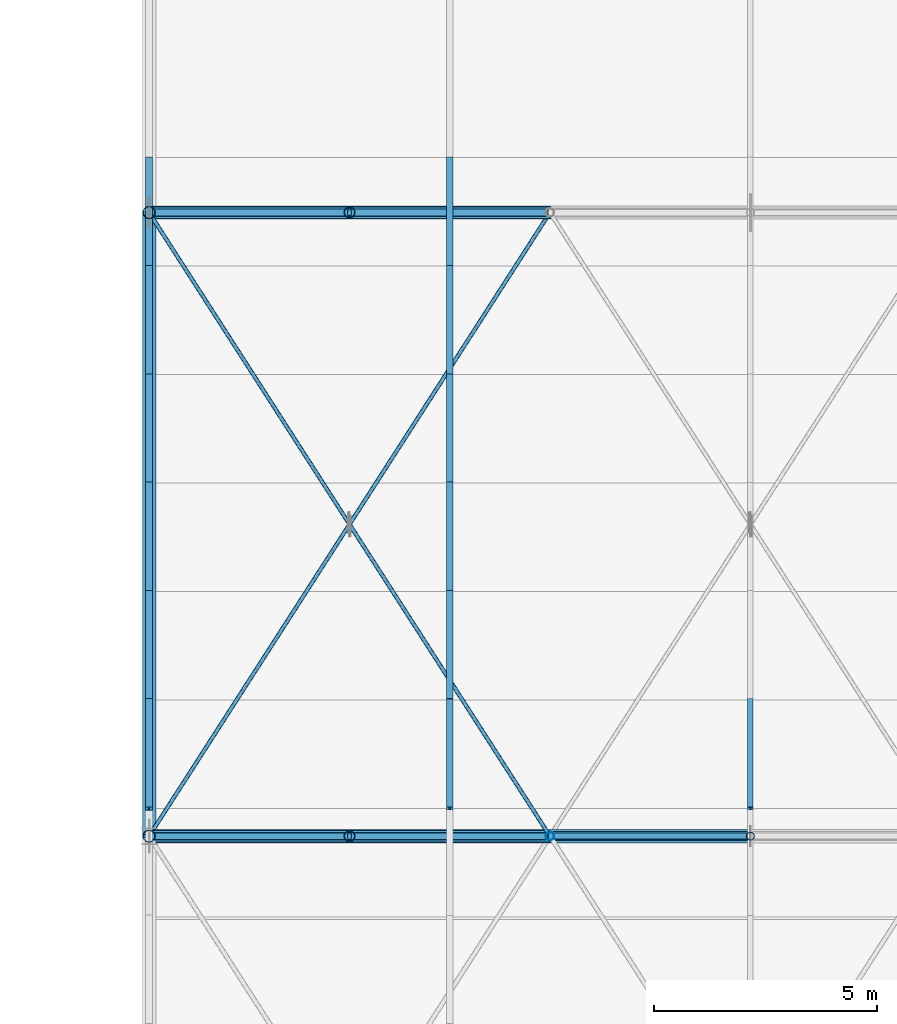
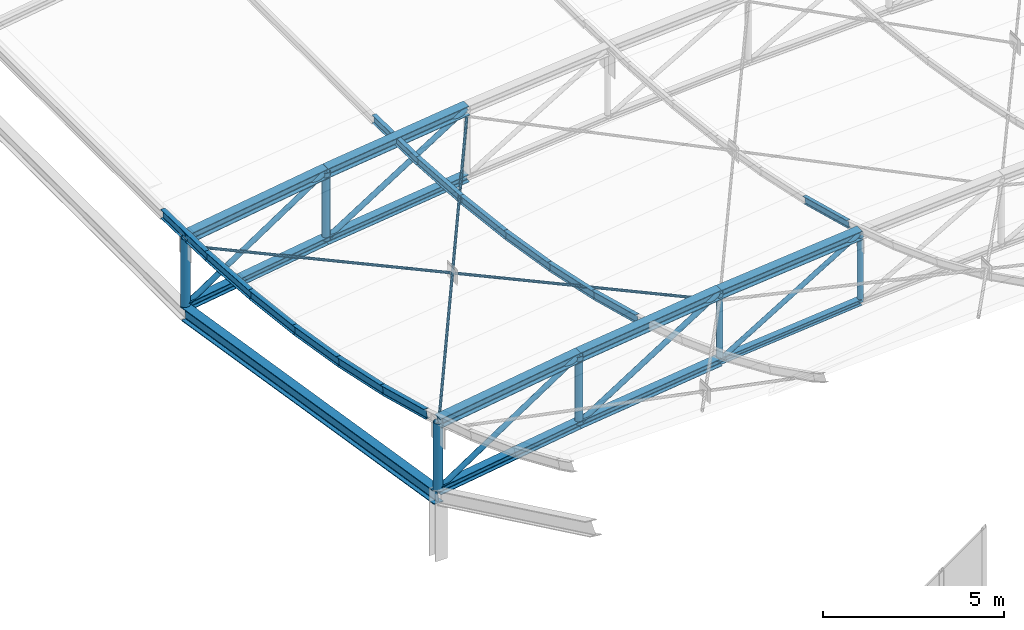
# One storey, part 143 of 262: 37 members, 1 beam.
"""IFC4 building model written with IfcOpenShell, lengths in metres."""

import ifcopenshell
import ifcopenshell.guid

model = None  # the IFC model being written
_history = None  # IfcOwnerHistory: only IFC2X3 demands one
_inside = {}  # id of a spatial element -> (the spatial element, [elements in it])
_under = {}  # id of a project, library or spatial element -> (it, [spatial elements below it])
_declared = {}  # id of a project -> (the project, [libraries it declares])
_typed = {}  # id of a type object -> (the type object, [elements of that type])
_made_of = {}  # id of a material, layer set ... -> (it, [elements and type objects made of it])


def new_model(schema):
    """Start an empty IFC model of exactly this schema.

    Asked for "IFC4X3", IfcOpenShell would pick the latest addendum, in which some entities
    have other attributes; the version numbers below select the first issue.
    IFC2X3 requires an IfcOwnerHistory on every rooted entity: one is made here for all.
    """
    global model, _history
    if schema == "IFC4X3":
        model = ifcopenshell.file(schema_version=(4, 3, 0, 0))
    else:
        model = ifcopenshell.file(schema=schema)
    _inside.clear()
    _under.clear()
    _declared.clear()
    _typed.clear()
    _made_of.clear()
    _history = None
    if model.schema == "IFC2X3":
        org = make("IfcOrganization", Name="unknown")
        user = make(
            "IfcPersonAndOrganization",
            ThePerson=make("IfcPerson", FamilyName="unknown"),
            TheOrganization=org,
        )
        app = make(
            "IfcApplication",
            ApplicationDeveloper=org,
            Version="unknown",
            ApplicationFullName="unknown",
            ApplicationIdentifier="unknown",
        )
        _history = make(
            "IfcOwnerHistory",
            OwningUser=user,
            OwningApplication=app,
            ChangeAction="ADDED",
            CreationDate=0,
        )
    return model


def make(cls, **values):
    """One entity of the class cls with the attributes given. An attribute that is None is left unset."""
    return model.create_entity(
        cls, **{name: value for name, value in values.items() if value is not None}
    )


def rooted(cls, **values):
    """An entity with a GlobalId (a new one), such as an element, a storey or a relation."""
    return make(cls, GlobalId=ifcopenshell.guid.new(), OwnerHistory=_history, **values)


def si_unit(unit_type, name, prefix=None):
    """IfcSIUnit, for example si_unit("LENGTHUNIT", "METRE", prefix="MILLI")."""
    return make("IfcSIUnit", UnitType=unit_type, Prefix=prefix, Name=name)


def derived_unit(unit_type, elements):
    """IfcDerivedUnit: a product of units, each with its exponent."""
    return make(
        "IfcDerivedUnit",
        Elements=[
            make("IfcDerivedUnitElement", Unit=unit, Exponent=power)
            for unit, power in elements
        ],
        UnitType=unit_type,
    )


def assignment(units):
    """IfcUnitAssignment: the units of a project."""
    return None if units is None else make("IfcUnitAssignment", Units=units)


def point(xyz):
    """IfcCartesianPoint."""
    return None if xyz is None else make("IfcCartesianPoint", Coordinates=xyz)


def direction(xyz):
    """IfcDirection."""
    return None if xyz is None else make("IfcDirection", DirectionRatios=xyz)


def frame(location, z_axis=None, x_axis=None):
    """IfcAxis2Placement3D, a coordinate frame: its origin and axes. An axis left out is left unset."""
    return make(
        "IfcAxis2Placement3D",
        Location=point(location),
        Axis=direction(z_axis),
        RefDirection=direction(x_axis),
    )


def frame_2d(location, x_axis=None):
    """IfcAxis2Placement2D, a coordinate frame in the plane: its origin and x axis."""
    return make(
        "IfcAxis2Placement2D", Location=point(location), RefDirection=direction(x_axis)
    )


def origin():
    """The frame at (0, 0, 0) with its axes left unset."""
    return frame((0.0, 0.0, 0.0))


def origin_2d():
    """The frame at (0, 0) in the plane with its x axis left unset."""
    return frame_2d((0.0, 0.0))


def place(relative_to, where):
    """IfcLocalPlacement: puts the frame where relative to a parent placement (None: the world)."""
    return make(
        "IfcLocalPlacement", PlacementRelTo=relative_to, RelativePlacement=where
    )


def context(
    kind, dimensions, precision=None, world=None, true_north=None, identifier=None
):
    """IfcGeometricRepresentationContext, for example the 3D "Model" context."""
    return make(
        "IfcGeometricRepresentationContext",
        ContextIdentifier=identifier,
        ContextType=kind,
        CoordinateSpaceDimension=dimensions,
        Precision=precision,
        WorldCoordinateSystem=world,
        TrueNorth=true_north,
    )


def subcontext(parent, identifier, kind, view, scale=None):
    """IfcGeometricRepresentationSubContext, for example "Body" below "Model"."""
    return make(
        "IfcGeometricRepresentationSubContext",
        ContextIdentifier=identifier,
        ContextType=kind,
        ParentContext=parent,
        TargetScale=scale,
        TargetView=view,
    )


def project(units=None, contexts=None):
    """IfcProject with its units and contexts."""
    return rooted(
        "IfcProject",
        Name="project",
        RepresentationContexts=contexts,
        UnitsInContext=assignment(units),
    )


def spatial(cls, under=None, at=None, **own):
    """A site, building, storey or space (cls), placed at a placement, below another one or the project."""
    s = rooted(cls, ObjectPlacement=at, **own)
    if under is not None:
        _under.setdefault(under.id(), (under, []))[1].append(s)
    return s


def profile(cls, at=None, kind="AREA", **sizes):
    """A parametric profile (cls). Its sizes go by their IFC names, for example OverallWidth=200.0."""
    return make(cls, ProfileType=kind, Position=at, **sizes)


def hollow_circle(**sizes):
    """IfcCircleHollowProfileDef."""
    return profile("IfcCircleHollowProfileDef", **sizes)


def i_section(**sizes):
    """IfcIShapeProfileDef."""
    return profile("IfcIShapeProfileDef", **sizes)


def extrude(swept, where, along, depth):
    """IfcExtrudedAreaSolid: the profile swept, set in the frame where, extruded along a direction by depth."""
    return make(
        "IfcExtrudedAreaSolid",
        SweptArea=swept,
        Position=where,
        ExtrudedDirection=direction(along),
        Depth=depth,
    )


def shape(context_of_items, identifier, shape_type, items):
    """IfcShapeRepresentation: the items that make up one representation, for example the "Body"."""
    return make(
        "IfcShapeRepresentation",
        ContextOfItems=context_of_items,
        RepresentationIdentifier=identifier,
        RepresentationType=shape_type,
        Items=items,
    )


def material(Name=None, Category=None):
    """IfcMaterial."""
    return make("IfcMaterial", Name=Name, Category=Category)


def material_profile(
    of_material, cross_section, Name=None, Category=None, Priority=None
):
    """IfcMaterialProfile: a cross section and its material."""
    return make(
        "IfcMaterialProfile",
        Name=Name,
        Material=of_material,
        Profile=cross_section,
        Priority=Priority,
        Category=Category,
    )


def profile_set(profiles, Name=None, composite=None):
    """IfcMaterialProfileSet."""
    return make(
        "IfcMaterialProfileSet",
        Name=Name,
        MaterialProfiles=profiles,
        CompositeProfile=composite,
    )


def made_of(thing, what):
    """Note that an element or type object is made of a material, layer set ...; save() writes the relation."""
    if what is not None:
        _made_of.setdefault(what.id(), (what, []))[1].append(thing)
    return thing


def type_object(cls, material=None, **own):
    """A type object (cls), such as IfcWallType, which elements share."""
    return made_of(rooted(cls, **own), material)


def element(
    cls,
    number,
    at=None,
    inside=None,
    cuts=None,
    type_object=None,
    material=None,
    context=None,
    identifier="Body",
    shape_type=None,
    held_by="IfcProductDefinitionShape",
    body=None,
    shapes=None,
    **own,
):
    """One element of the class cls, such as IfcWall. Its Tag is "e" and its number.

    at: its placement. inside: the storey or other place that contains it. cuts: it is an
    opening in that element (IfcRelVoidsElement). A single representation is given by context,
    identifier, shape_type and body (its items); several are given by shapes. held_by: the class
    of the entity that holds the representations. save() writes the other relations.
    """
    e = rooted(cls, Tag="e%d" % number, ObjectPlacement=at, **own)
    if body is not None:
        shapes = [shape(context, identifier, shape_type, body)]
    if shapes is not None:
        e.Representation = make(held_by, Representations=shapes)
    if inside is not None:
        _inside.setdefault(inside.id(), (inside, []))[1].append(e)
    if cuts is not None:
        rooted(
            "IfcRelVoidsElement", RelatingBuildingElement=cuts, RelatedOpeningElement=e
        )
    if type_object is not None:
        _typed.setdefault(type_object.id(), (type_object, []))[1].append(e)
    return made_of(e, material)


def aggregate(whole, parts):
    """IfcRelAggregates: a whole, such as a stair, and the parts it consists of."""
    return rooted("IfcRelAggregates", RelatingObject=whole, RelatedObjects=parts)


def save(model, path):
    """Write the relations noted so far, then the file.

    IfcRelAggregates (storeys below a building ...), IfcRelContainedInSpatialStructure (elements
    in a storey), IfcRelDefinesByType, IfcRelAssociatesMaterial and IfcRelDeclares: one each for
    every whole, place, type object, material and project.
    """
    for whole, parts in _under.values():
        aggregate(whole, parts)
    for where, things in _inside.values():
        rooted(
            "IfcRelContainedInSpatialStructure",
            RelatedElements=things,
            RelatingStructure=where,
        )
    for kind, things in _typed.values():
        rooted("IfcRelDefinesByType", RelatedObjects=things, RelatingType=kind)
    for what, things in _made_of.values():
        rooted("IfcRelAssociatesMaterial", RelatedObjects=things, RelatingMaterial=what)
    for by, libraries in _declared.values():
        rooted("IfcRelDeclares", RelatingContext=by, RelatedDefinitions=libraries)
    model.write(path)


model = new_model("IFC4")

# Units and contexts
model_context = context("Model", 3, precision=1e-05, world=origin(), true_north=direction((0.0, 1.0)))
body_context = subcontext(model_context, "Body", "Model", "MODEL_VIEW")
ifc_project = project(units=[si_unit("LENGTHUNIT", "METRE"), si_unit("AREAUNIT", "SQUARE_METRE"), si_unit("VOLUMEUNIT", "CUBIC_METRE"), si_unit("PLANEANGLEUNIT", "RADIAN"), si_unit("MASSUNIT", "GRAM", prefix="KILO"), derived_unit("THERMALTRANSMITTANCEUNIT", [(si_unit("POWERUNIT", "WATT"), 1), (si_unit("LENGTHUNIT", "METRE"), -2), (si_unit("THERMODYNAMICTEMPERATUREUNIT", "KELVIN"), -1)])], contexts=[model_context])

# Site, building, storey
site_placement = place(None, origin())
site = spatial("IfcSite", under=ifc_project, at=site_placement, CompositionType="ELEMENT")
building_placement = place(site_placement, origin())
building = spatial("IfcBuilding", under=site, at=building_placement, Name="Almenara Railside Exhibition Hall", CompositionType="ELEMENT")
storey_placement = place(building_placement, frame((0.0, 0.0, 21.699951171875)))
storey = spatial("IfcBuildingStorey", under=building, at=storey_placement, Name="RF", CompositionType="ELEMENT", Elevation=21.699951171875)

# Members
ifc_material = material(Name="Structural steel S355JR", Category="steel")
ifc_material_profile_1 = material_profile(ifc_material, i_section(OverallWidth=0.300048828125, OverallDepth=0.300048828125, WebThickness=0.010986328125, FlangeThickness=0.01904296875, FilletRadius=0.027099609375, at=origin_2d()), Name="HEB 300")
ifc_profile_set_1 = profile_set([ifc_material_profile_1], Name="Structural steel S355JR")
member_type_1 = type_object("IfcMemberType", Name="Arched Inner Top Chord HEB 300 S355JR", PredefinedType="CHORD", material=ifc_profile_set_1)
member_1_placement = place(storey_placement, frame((147.0, 48.0, -3.794189453125), z_axis=(0.995512933083, 0.0, 0.094625578275), x_axis=(0.0, 1.0, 0.0)))
element("IfcMember", 1, at=member_1_placement, inside=storey, type_object=member_type_1, Name="MEM-TC-V2-01-02", PredefinedType="CHORD", context=body_context, shape_type="SweptSolid", body=[
    extrude(i_section(OverallWidth=0.300048828125, OverallDepth=0.300048828125, WebThickness=0.010986328125, FlangeThickness=0.01904296875, FilletRadius=0.027099609375, at=origin_2d()), origin(), (0.0, 0.0, 1.0), 4.520263671875),
])
ifc_material_profile_2 = material_profile(ifc_material, i_section(OverallWidth=0.260009765625, OverallDepth=0.260009765625, WebThickness=0.010009765625, FlangeThickness=0.017578125, FilletRadius=0.02392578125, at=origin_2d()), Name="HEB 260")
ifc_profile_set_2 = profile_set([ifc_material_profile_2], Name="Structural steel S355JR")
member_type_2 = type_object("IfcMemberType", Name="Arched Truss Bottom Chord HEB 260 S355JR", PredefinedType="CHORD", material=ifc_profile_set_2)
member_2_placement = place(storey_placement, frame((138.0, 48.0, -7.31640625), z_axis=(0.9890290442, 0.0, 0.147721189165), x_axis=(0.0, 1.0, 0.0)))
element("IfcMember", 2, at=member_2_placement, inside=storey, type_object=member_type_2, Name="MEM-BC-V2-01-00", PredefinedType="CHORD", context=body_context, shape_type="SweptSolid", body=[
    extrude(i_section(OverallWidth=0.260009765625, OverallDepth=0.260009765625, WebThickness=0.010009765625, FlangeThickness=0.017578125, FilletRadius=0.02392578125, at=origin_2d()), origin(), (0.0, 0.0, 1.0), 4.5498046875),
])
member_3_placement = place(storey_placement, frame((142.5, 48.0, -6.644287109375), z_axis=(0.992612220818, 0.0, 0.121330041965), x_axis=(0.0, 1.0, 0.0)))
element("IfcMember", 3, at=member_3_placement, inside=storey, type_object=member_type_2, Name="MEM-BC-V2-01-01", PredefinedType="CHORD", context=body_context, shape_type="SweptSolid", body=[
    extrude(i_section(OverallWidth=0.260009765625, OverallDepth=0.260009765625, WebThickness=0.010009765625, FlangeThickness=0.017578125, FilletRadius=0.02392578125, at=origin_2d()), origin(), (0.0, 0.0, 1.0), 4.533447265625),
])
member_4_placement = place(storey_placement, frame((138.0, 62.0, -9.585205078125), z_axis=(0.989021203369, 0.0, 0.147773675894), x_axis=(0.0, 1.0, 0.0)))
element("IfcMember", 4, at=member_4_placement, inside=storey, type_object=member_type_2, Name="MEM-BC-V2-02-00", PredefinedType="CHORD", context=body_context, shape_type="SweptSolid", body=[
    extrude(i_section(OverallWidth=0.260009765625, OverallDepth=0.260009765625, WebThickness=0.010009765625, FlangeThickness=0.017578125, FilletRadius=0.02392578125, at=origin_2d()), origin(), (0.0, 0.0, 1.0), 4.550048828125),
])
member_5_placement = place(storey_placement, frame((142.5, 62.0, -8.912841796875), z_axis=(0.992618705116, 0.0, 0.12127698155), x_axis=(0.0, 1.0, 0.0)))
element("IfcMember", 5, at=member_5_placement, inside=storey, type_object=member_type_2, Name="MEM-BC-V2-02-01", PredefinedType="CHORD", context=body_context, shape_type="SweptSolid", body=[
    extrude(i_section(OverallWidth=0.260009765625, OverallDepth=0.260009765625, WebThickness=0.010009765625, FlangeThickness=0.017578125, FilletRadius=0.02392578125, at=origin_2d()), origin(), (0.0, 0.0, 1.0), 4.533447265625),
])
ifc_material_profile_3 = material_profile(ifc_material, i_section(OverallWidth=0.300048828125, OverallDepth=0.320068359375, WebThickness=0.011474609375, FlangeThickness=0.0205078125, FilletRadius=0.027099609375, at=origin_2d()), Name="HEB 320")
ifc_profile_set_3 = profile_set([ifc_material_profile_3], Name="Structural steel S355JR")
member_type_3 = type_object("IfcMemberType", Name="Arched Truss Top Chord HEB 320 S355JR", PredefinedType="CHORD", material=ifc_profile_set_3)
member_6_placement = place(storey_placement, frame((138.0, 48.0, -5.016357421875), z_axis=(0.9890290442, 0.0, 0.147721189165), x_axis=(0.0, 1.0, 0.0)))
element("IfcMember", 6, at=member_6_placement, inside=storey, type_object=member_type_3, Name="MEM-TC-V2-01-00", PredefinedType="CHORD", context=body_context, shape_type="SweptSolid", body=[
    extrude(i_section(OverallWidth=0.300048828125, OverallDepth=0.320068359375, WebThickness=0.011474609375, FlangeThickness=0.0205078125, FilletRadius=0.027099609375, at=origin_2d()), origin(), (0.0, 0.0, 1.0), 4.5498046875),
])
member_7_placement = place(storey_placement, frame((142.5, 48.0, -4.34423828125), z_axis=(0.992612220818, 0.0, 0.121330041965), x_axis=(0.0, 1.0, 0.0)))
element("IfcMember", 7, at=member_7_placement, inside=storey, type_object=member_type_3, Name="MEM-TC-V2-01-01", PredefinedType="CHORD", context=body_context, shape_type="SweptSolid", body=[
    extrude(i_section(OverallWidth=0.300048828125, OverallDepth=0.320068359375, WebThickness=0.011474609375, FlangeThickness=0.0205078125, FilletRadius=0.027099609375, at=origin_2d()), origin(), (0.0, 0.0, 1.0), 4.533447265625),
])
member_8_placement = place(storey_placement, frame((138.0, 62.0, -7.28515625), z_axis=(0.9890290442, 0.0, 0.147721189165), x_axis=(0.0, 1.0, 0.0)))
element("IfcMember", 8, at=member_8_placement, inside=storey, type_object=member_type_3, Name="MEM-TC-V2-02-00", PredefinedType="CHORD", context=body_context, shape_type="SweptSolid", body=[
    extrude(i_section(OverallWidth=0.300048828125, OverallDepth=0.320068359375, WebThickness=0.011474609375, FlangeThickness=0.0205078125, FilletRadius=0.027099609375, at=origin_2d()), origin(), (0.0, 0.0, 1.0), 4.5498046875),
])
member_9_placement = place(storey_placement, frame((142.5, 62.0, -6.613037109375), z_axis=(0.992612220818, 0.0, 0.121330041965), x_axis=(0.0, 1.0, 0.0)))
element("IfcMember", 9, at=member_9_placement, inside=storey, type_object=member_type_3, Name="MEM-TC-V2-02-01", PredefinedType="CHORD", context=body_context, shape_type="SweptSolid", body=[
    extrude(i_section(OverallWidth=0.300048828125, OverallDepth=0.320068359375, WebThickness=0.011474609375, FlangeThickness=0.0205078125, FilletRadius=0.027099609375, at=origin_2d()), origin(), (0.0, 0.0, 1.0), 4.533447265625),
])
ifc_material_profile_4 = material_profile(ifc_material, i_section(OverallWidth=0.199951171875, OverallDepth=0.199951171875, WebThickness=0.009033203125, FlangeThickness=0.014892578125, FilletRadius=0.01806640625, at=origin_2d()), Name="HEB 200")
ifc_profile_set_4 = profile_set([ifc_material_profile_4], Name="Structural steel S355JR")
member_type_4 = type_object("IfcMemberType", Name="Canopy Collar Chord HEB 200 S355JR", PredefinedType="CHORD", material=ifc_profile_set_4)
member_10_placement = place(storey_placement, frame((147.0, 48.0, -6.09423828125), z_axis=(0.995512933083, 0.0, 0.094625578275), x_axis=(0.0, 1.0, 0.0)))
element("IfcMember", 10, at=member_10_placement, inside=storey, type_object=member_type_4, Name="MEM-BC-V2-01-02", PredefinedType="CHORD", context=body_context, shape_type="SweptSolid", body=[
    extrude(i_section(OverallWidth=0.199951171875, OverallDepth=0.199951171875, WebThickness=0.009033203125, FlangeThickness=0.014892578125, FilletRadius=0.01806640625, at=origin_2d()), origin(), (0.0, 0.0, 1.0), 4.520263671875),
])
ifc_material_profile_5 = material_profile(ifc_material, hollow_circle(Radius=0.04443359375, WallThickness=0.00390625, at=origin_2d()), Name="CHS 88.9x4")
ifc_profile_set_5 = profile_set([ifc_material_profile_5], Name="Structural steel S355JR")
member_type_5 = type_object("IfcMemberType", Name="Canopy Tie Brace CHS 88.9x4 S355JR", PredefinedType="BRACE", material=ifc_profile_set_5)
member_11_placement = place(storey_placement, frame((138.0, 48.0, -5.29638671875), z_axis=(0.539691500624, 0.839520112082, -0.062761975455), x_axis=(-0.841178475377, 0.540757591313, 0.0)))
element("IfcMember", 11, at=member_11_placement, inside=storey, type_object=member_type_5, Name="MEM-WB-V2-WB-CHS89-01-00-C", PredefinedType="BRACE", context=body_context, shape_type="SweptSolid", body=[
    extrude(hollow_circle(Radius=0.04443359375, WallThickness=0.00390625, at=origin_2d()), origin(), (0.0, 0.0, 1.0), 16.67626953125),
])
for number, where, z_axis, x_axis, name in (
    (12, (147.0, 48.0, -4.07421875), (-0.529235796348, 0.823265309002, -0.205289315013), (-0.841181351383, -0.5407531175, 0.0), "MEM-WB-V2-WB-CHS89-01-00-S1"),
    (13, (142.474365234375, 55.039794921875, -5.82958984375), (-0.529235796348, 0.823265309002, -0.205289315013), (-0.841181351383, -0.5407531175, 0.0), "MEM-WB-V2-WB-CHS89-01-00-S2"),
):
    element("IfcMember", number, at=place(storey_placement, frame(where, z_axis=z_axis, x_axis=x_axis)), inside=storey, type_object=member_type_5, Name=name, PredefinedType="BRACE", context=body_context, shape_type="SweptSolid", body=[
        extrude(hollow_circle(Radius=0.04443359375, WallThickness=0.00390625, at=origin_2d()), origin(), (0.0, 0.0, 1.0), 8.454345703125),
    ])
ifc_material_profile_6 = material_profile(ifc_material, i_section(OverallWidth=0.14990234375, OverallDepth=0.300048828125, WebThickness=0.007080078125, FlangeThickness=0.0107421875, FilletRadius=0.014892578125, at=origin_2d()), Name="IPE 300")
ifc_profile_set_6 = profile_set([ifc_material_profile_6], Name="Structural steel S355JR")
member_type_6 = type_object("IfcMemberType", Name="East Hall Ridge Purlin IPE 300 S355JR", PredefinedType="PURLIN", material=ifc_profile_set_6)
member_12_placement = place(storey_placement, frame((138.0, 48.6201171875, -5.133544921875), z_axis=(0.0, 0.966201190487, -0.257789176462), x_axis=(-1.0, 0.0, 0.0)))
element("IfcMember", 14, at=member_12_placement, inside=storey, type_object=member_type_6, Name="MEM-PR-V2-PR-IPE300-00-06", PredefinedType="PURLIN", context=body_context, shape_type="SweptSolid", body=[
    extrude(i_section(OverallWidth=0.14990234375, OverallDepth=0.300048828125, WebThickness=0.007080078125, FlangeThickness=0.0107421875, FilletRadius=0.014892578125, at=origin_2d()), origin(), (0.0, 0.0, 1.0), 2.52197265625),
])
member_13_placement = place(storey_placement, frame((138.0, 51.056884765625, -5.779541015625), z_axis=(0.0, 0.977496103583, -0.210953472309), x_axis=(-1.0, 0.0, 0.0)))
element("IfcMember", 15, at=member_13_placement, inside=storey, type_object=member_type_6, Name="MEM-PR-V2-PR-IPE300-00-07", PredefinedType="PURLIN", context=body_context, shape_type="SweptSolid", body=[
    extrude(i_section(OverallWidth=0.14990234375, OverallDepth=0.300048828125, WebThickness=0.007080078125, FlangeThickness=0.0107421875, FilletRadius=0.014892578125, at=origin_2d()), origin(), (0.0, 0.0, 1.0), 2.492919921875),
])
member_14_placement = place(storey_placement, frame((138.0, 53.49365234375, -6.30224609375), z_axis=(0.0, 0.986449960692, -0.164062412058), x_axis=(-1.0, 0.0, 0.0)))
element("IfcMember", 16, at=member_14_placement, inside=storey, type_object=member_type_6, Name="MEM-PR-V2-PR-IPE300-00-08", PredefinedType="PURLIN", context=body_context, shape_type="SweptSolid", body=[
    extrude(i_section(OverallWidth=0.14990234375, OverallDepth=0.300048828125, WebThickness=0.007080078125, FlangeThickness=0.0107421875, FilletRadius=0.014892578125, at=origin_2d()), origin(), (0.0, 0.0, 1.0), 2.47021484375),
])
member_15_placement = place(storey_placement, frame((138.0, 55.930419921875, -6.705078125), z_axis=(0.0, 0.993105700961, -0.117222296166), x_axis=(-1.0, 0.0, 0.0)))
element("IfcMember", 17, at=member_15_placement, inside=storey, type_object=member_type_6, Name="MEM-PR-V2-PR-IPE300-00-09", PredefinedType="PURLIN", context=body_context, shape_type="SweptSolid", body=[
    extrude(i_section(OverallWidth=0.14990234375, OverallDepth=0.300048828125, WebThickness=0.007080078125, FlangeThickness=0.0107421875, FilletRadius=0.014892578125, at=origin_2d()), origin(), (0.0, 0.0, 1.0), 2.453369140625),
])
member_16_placement = place(storey_placement, frame((138.0, 58.366943359375, -6.990966796875), z_axis=(0.0, 0.997521719737, -0.070359211571), x_axis=(-1.0, 0.0, 0.0)))
element("IfcMember", 18, at=member_16_placement, inside=storey, type_object=member_type_6, Name="MEM-PR-V2-PR-IPE300-00-10", PredefinedType="PURLIN", context=body_context, shape_type="SweptSolid", body=[
    extrude(i_section(OverallWidth=0.14990234375, OverallDepth=0.300048828125, WebThickness=0.007080078125, FlangeThickness=0.0107421875, FilletRadius=0.014892578125, at=origin_2d()), origin(), (0.0, 0.0, 1.0), 2.44287109375),
])
member_17_placement = place(storey_placement, frame((138.0, 60.8037109375, -7.162109375), z_axis=(0.0, 0.999725289903, -0.023438104182), x_axis=(-1.0, 0.0, 0.0)))
element("IfcMember", 19, at=member_17_placement, inside=storey, type_object=member_type_6, Name="MEM-PR-V2-PR-IPE300-00-11", PredefinedType="PURLIN", context=body_context, shape_type="SweptSolid", body=[
    extrude(i_section(OverallWidth=0.14990234375, OverallDepth=0.300048828125, WebThickness=0.007080078125, FlangeThickness=0.0107421875, FilletRadius=0.014892578125, at=origin_2d()), origin(), (0.0, 0.0, 1.0), 2.4375),
])
ifc_material_profile_7 = material_profile(ifc_material, i_section(OverallWidth=0.135009765625, OverallDepth=0.27001953125, WebThickness=0.006591796875, FlangeThickness=0.01025390625, FilletRadius=0.014892578125, at=origin_2d()), Name="IPE 270")
ifc_profile_set_7 = profile_set([ifc_material_profile_7], Name="Structural steel S355JR")
member_type_7 = type_object("IfcMemberType", Name="East Hall Standard Purlin IPE 270 S355JR", PredefinedType="PURLIN", material=ifc_profile_set_7)
member_18_placement = place(storey_placement, frame((144.75, 48.6201171875, -4.2890625), z_axis=(0.0, 0.966177075278, -0.257879543988), x_axis=(-1.0, 0.0, 0.0)))
element("IfcMember", 20, at=member_18_placement, inside=storey, type_object=member_type_7, Name="MEM-PR-V2-PR-IPE270-01-06", PredefinedType="PURLIN", context=body_context, shape_type="SweptSolid", body=[
    extrude(i_section(OverallWidth=0.135009765625, OverallDepth=0.27001953125, WebThickness=0.006591796875, FlangeThickness=0.01025390625, FilletRadius=0.014892578125, at=origin_2d()), origin(), (0.0, 0.0, 1.0), 2.52197265625),
])
member_19_placement = place(storey_placement, frame((144.75, 51.056884765625, -4.935302734375), z_axis=(0.0, 0.977496103583, -0.210953472309), x_axis=(-1.0, 0.0, 0.0)))
element("IfcMember", 21, at=member_19_placement, inside=storey, type_object=member_type_7, Name="MEM-PR-V2-PR-IPE270-01-07", PredefinedType="PURLIN", context=body_context, shape_type="SweptSolid", body=[
    extrude(i_section(OverallWidth=0.135009765625, OverallDepth=0.27001953125, WebThickness=0.006591796875, FlangeThickness=0.01025390625, FilletRadius=0.014892578125, at=origin_2d()), origin(), (0.0, 0.0, 1.0), 2.492919921875),
])
member_20_placement = place(storey_placement, frame((144.75, 53.49365234375, -5.4580078125), z_axis=(0.0, 0.986449960692, -0.164062412058), x_axis=(-1.0, 0.0, 0.0)))
element("IfcMember", 22, at=member_20_placement, inside=storey, type_object=member_type_7, Name="MEM-PR-V2-PR-IPE270-01-08", PredefinedType="PURLIN", context=body_context, shape_type="SweptSolid", body=[
    extrude(i_section(OverallWidth=0.135009765625, OverallDepth=0.27001953125, WebThickness=0.006591796875, FlangeThickness=0.01025390625, FilletRadius=0.014892578125, at=origin_2d()), origin(), (0.0, 0.0, 1.0), 2.47021484375),
])
member_21_placement = place(storey_placement, frame((144.75, 55.930419921875, -5.861083984375), z_axis=(0.0, 0.993105700961, -0.117222296166), x_axis=(-1.0, 0.0, 0.0)))
element("IfcMember", 23, at=member_21_placement, inside=storey, type_object=member_type_7, Name="MEM-PR-V2-PR-IPE270-01-09", PredefinedType="PURLIN", context=body_context, shape_type="SweptSolid", body=[
    extrude(i_section(OverallWidth=0.135009765625, OverallDepth=0.27001953125, WebThickness=0.006591796875, FlangeThickness=0.01025390625, FilletRadius=0.014892578125, at=origin_2d()), origin(), (0.0, 0.0, 1.0), 2.453369140625),
])
member_22_placement = place(storey_placement, frame((144.75, 58.366943359375, -6.147216796875), z_axis=(0.0, 0.997528729247, -0.070259763216), x_axis=(-1.0, 0.0, 0.0)))
element("IfcMember", 24, at=member_22_placement, inside=storey, type_object=member_type_7, Name="MEM-PR-V2-PR-IPE270-01-10", PredefinedType="PURLIN", context=body_context, shape_type="SweptSolid", body=[
    extrude(i_section(OverallWidth=0.135009765625, OverallDepth=0.27001953125, WebThickness=0.006591796875, FlangeThickness=0.01025390625, FilletRadius=0.014892578125, at=origin_2d()), origin(), (0.0, 0.0, 1.0), 2.44287109375),
])
member_23_placement = place(storey_placement, frame((144.75, 60.8037109375, -6.318115234375), z_axis=(0.0, 0.999725289903, -0.023438104182), x_axis=(-1.0, 0.0, 0.0)))
element("IfcMember", 25, at=member_23_placement, inside=storey, type_object=member_type_7, Name="MEM-PR-V2-PR-IPE270-01-11", PredefinedType="PURLIN", context=body_context, shape_type="SweptSolid", body=[
    extrude(i_section(OverallWidth=0.135009765625, OverallDepth=0.27001953125, WebThickness=0.006591796875, FlangeThickness=0.01025390625, FilletRadius=0.014892578125, at=origin_2d()), origin(), (0.0, 0.0, 1.0), 2.4375),
])
ifc_material_profile_8 = material_profile(ifc_material, i_section(OverallWidth=0.1201171875, OverallDepth=0.239990234375, WebThickness=0.006103515625, FlangeThickness=0.009765625, FilletRadius=0.014892578125, at=origin_2d()), Name="IPE 240")
ifc_profile_set_8 = profile_set([ifc_material_profile_8], Name="Structural steel S355JR")
member_type_8 = type_object("IfcMemberType", Name="Scroll Roof Purlin IPE 240 S355JR", PredefinedType="PURLIN", material=ifc_profile_set_8)
member_24_placement = place(storey_placement, frame((151.5, 48.6201171875, -3.445556640625), z_axis=(0.0, 0.966201190487, -0.257789176462), x_axis=(-1.0, 0.0, 0.0)))
element("IfcMember", 26, at=member_24_placement, inside=storey, type_object=member_type_8, Name="MEM-PR-V2-PR-IPE240-02-06", PredefinedType="PURLIN", context=body_context, shape_type="SweptSolid", body=[
    extrude(i_section(OverallWidth=0.1201171875, OverallDepth=0.239990234375, WebThickness=0.006103515625, FlangeThickness=0.009765625, FilletRadius=0.014892578125, at=origin_2d()), origin(), (0.0, 0.0, 1.0), 2.52197265625),
])

# Beam
ifc_material_profile_9 = material_profile(ifc_material, i_section(OverallWidth=0.300048828125, OverallDepth=0.449951171875, WebThickness=0.013916015625, FlangeThickness=0.02587890625, FilletRadius=0.027099609375, at=origin_2d()), Name="HEB 450")
ifc_profile_set_9 = profile_set([ifc_material_profile_9], Name="Structural steel S355JR")
beam_type = type_object("IfcBeamType", Name="Steel Roof Eaves Tie Girder HEB 450 S355JR", PredefinedType="USERDEFINED", material=ifc_profile_set_9)
beam_placement = place(storey_placement, frame((138.0, 48.0, -7.54150390625), z_axis=(0.0, 0.98712458386, -0.15995329299), x_axis=(-1.0, 0.0, 0.0)))
element("IfcBeam", 27, at=beam_placement, inside=storey, type_object=beam_type, Name="Beam 0977", ObjectType="GIRDER", PredefinedType="USERDEFINED", context=body_context, shape_type="SweptSolid", body=[
    extrude(i_section(OverallWidth=0.300048828125, OverallDepth=0.449951171875, WebThickness=0.013916015625, FlangeThickness=0.02587890625, FilletRadius=0.027099609375, at=origin_2d()), origin(), (0.0, 0.0, 1.0), 14.1826171875),
])

# Members
ifc_material_profile_10 = material_profile(ifc_material, hollow_circle(Radius=0.084228515625, WallThickness=0.006103515625, at=origin_2d()), Name="CHS 168.3x6")
ifc_profile_set_10 = profile_set([ifc_material_profile_10], Name="Structural steel S355JR")
member_type_9 = type_object("IfcMemberType", Name="Truss End Diagonal CHS 168.3x6 S355JR", PredefinedType="BRACE", material=ifc_profile_set_10)
member_25_placement = place(storey_placement, frame((138.0, 48.0, -7.31640625), z_axis=(0.834424544227, 0.0, 0.551122200598), x_axis=(0.0, 1.0, 0.0)))
element("IfcMember", 28, at=member_25_placement, inside=storey, type_object=member_type_9, Name="MEM-TD-V2-01-00", PredefinedType="BRACE", context=body_context, shape_type="SweptSolid", body=[
    extrude(hollow_circle(Radius=0.084228515625, WallThickness=0.006103515625, at=origin_2d()), origin(), (0.0, 0.0, 1.0), 5.392822265625),
])
member_26_placement = place(storey_placement, frame((142.5, 48.0, -6.644287109375), z_axis=(0.844810788273, 0.0, 0.535065166141), x_axis=(0.0, 1.0, 0.0)))
element("IfcMember", 29, at=member_26_placement, inside=storey, type_object=member_type_9, Name="MEM-TD-V2-01-01", PredefinedType="BRACE", context=body_context, shape_type="SweptSolid", body=[
    extrude(hollow_circle(Radius=0.084228515625, WallThickness=0.006103515625, at=origin_2d()), origin(), (0.0, 0.0, 1.0), 5.32666015625),
])
member_27_placement = place(storey_placement, frame((138.0, 62.0, -9.585205078125), z_axis=(0.834424544227, 0.0, 0.551122200598), x_axis=(0.0, 1.0, 0.0)))
element("IfcMember", 30, at=member_27_placement, inside=storey, type_object=member_type_9, Name="MEM-TD-V2-02-00", PredefinedType="BRACE", context=body_context, shape_type="SweptSolid", body=[
    extrude(hollow_circle(Radius=0.084228515625, WallThickness=0.006103515625, at=origin_2d()), origin(), (0.0, 0.0, 1.0), 5.392822265625),
])
member_28_placement = place(storey_placement, frame((142.5, 62.0, -8.912841796875), z_axis=(0.8448315064, 0.0, 0.535032453028), x_axis=(0.0, 1.0, 0.0)))
element("IfcMember", 31, at=member_28_placement, inside=storey, type_object=member_type_9, Name="MEM-TD-V2-02-01", PredefinedType="BRACE", context=body_context, shape_type="SweptSolid", body=[
    extrude(hollow_circle(Radius=0.084228515625, WallThickness=0.006103515625, at=origin_2d()), origin(), (0.0, 0.0, 1.0), 5.326416015625),
])
ifc_material_profile_11 = material_profile(ifc_material, hollow_circle(Radius=0.122314453125, WallThickness=0.008056640625, at=origin_2d()), Name="CHS 244.5x8")
ifc_profile_set_11 = profile_set([ifc_material_profile_11], Name="Structural steel S355JR")
member_type_10 = type_object("IfcMemberType", Name="Truss Haunch Vertical Strut CHS 244.5x8 S355JR", PredefinedType="BRACE", material=ifc_profile_set_11)
member_29_placement = place(storey_placement, frame((142.5, 48.0, -6.644287109375), z_axis=(0.0, 0.0, 1.0), x_axis=(1.0, 0.0, 0.0)))
element("IfcMember", 32, at=member_29_placement, inside=storey, type_object=member_type_10, Name="MEM-TV-V2-01-01", PredefinedType="BRACE", context=body_context, shape_type="SweptSolid", body=[
    extrude(hollow_circle(Radius=0.122314453125, WallThickness=0.008056640625, at=origin_2d()), origin(), (0.0, 0.0, 1.0), 2.300048828125),
])
member_30_placement = place(storey_placement, frame((142.5, 62.0, -8.912841796875), z_axis=(0.0, 0.0, 1.0), x_axis=(1.0, 0.0, 0.0)))
element("IfcMember", 33, at=member_30_placement, inside=storey, type_object=member_type_10, Name="MEM-TV-V2-02-01", PredefinedType="BRACE", context=body_context, shape_type="SweptSolid", body=[
    extrude(hollow_circle(Radius=0.122314453125, WallThickness=0.008056640625, at=origin_2d()), origin(), (0.0, 0.0, 1.0), 2.2998046875),
])
ifc_material_profile_12 = material_profile(ifc_material, hollow_circle(Radius=0.076171875, WallThickness=0.0048828125, at=origin_2d()), Name="CHS 152.4x5")
ifc_profile_set_12 = profile_set([ifc_material_profile_12], Name="Structural steel S355JR")
member_type_11 = type_object("IfcMemberType", Name="Truss Mid Diagonal CHS 152.4x5 S355JR", PredefinedType="BRACE", material=ifc_profile_set_12)
member_31_placement = place(storey_placement, frame((147.0, 48.0, -6.09423828125), z_axis=(0.855154829777, 0.0, 0.518372662386), x_axis=(0.0, 1.0, 0.0)))
element("IfcMember", 34, at=member_31_placement, inside=storey, type_object=member_type_11, Name="MEM-TD-V2-01-02", PredefinedType="BRACE", context=body_context, shape_type="SweptSolid", body=[
    extrude(hollow_circle(Radius=0.076171875, WallThickness=0.0048828125, at=origin_2d()), origin(), (0.0, 0.0, 1.0), 5.26220703125),
])
ifc_material_profile_13 = material_profile(ifc_material, hollow_circle(Radius=0.0888671875, WallThickness=0.006103515625, at=origin_2d()), Name="CHS 177.8x6")
ifc_profile_set_13 = profile_set([ifc_material_profile_13], Name="Structural steel S355JR")
member_type_12 = type_object("IfcMemberType", Name="Truss Quarter Vertical Strut CHS 177.8x6 S355JR", PredefinedType="BRACE", material=ifc_profile_set_13)
member_32_placement = place(storey_placement, frame((151.5, 48.0, -5.66650390625), z_axis=(0.0, 0.0, 1.0), x_axis=(1.0, 0.0, 0.0)))
element("IfcMember", 35, at=member_32_placement, inside=storey, type_object=member_type_12, Name="MEM-TV-V2-01-03", PredefinedType="BRACE", context=body_context, shape_type="SweptSolid", body=[
    extrude(hollow_circle(Radius=0.0888671875, WallThickness=0.006103515625, at=origin_2d()), origin(), (0.0, 0.0, 1.0), 2.300048828125),
])
ifc_material_profile_14 = material_profile(ifc_material, hollow_circle(Radius=0.096923828125, WallThickness=0.00634765625, at=origin_2d()), Name="CHS 193.7x6.3")
ifc_profile_set_14 = profile_set([ifc_material_profile_14], Name="Structural steel S355JR")
member_type_13 = type_object("IfcMemberType", Name="Truss Standard Vertical Strut CHS 193.7x6.3 S355JR", PredefinedType="BRACE", material=ifc_profile_set_14)
member_33_placement = place(storey_placement, frame((147.0, 48.0, -6.09423828125), z_axis=(0.0, 0.0, 1.0), x_axis=(1.0, 0.0, 0.0)))
element("IfcMember", 36, at=member_33_placement, inside=storey, type_object=member_type_13, Name="MEM-TV-V2-01-02", PredefinedType="BRACE", context=body_context, shape_type="SweptSolid", body=[
    extrude(hollow_circle(Radius=0.096923828125, WallThickness=0.00634765625, at=origin_2d()), origin(), (0.0, 0.0, 1.0), 2.300048828125),
])
ifc_material_profile_15 = material_profile(ifc_material, hollow_circle(Radius=0.136474609375, WallThickness=0.008056640625, at=origin_2d()), Name="CHS 273x8")
ifc_profile_set_15 = profile_set([ifc_material_profile_15], Name="Structural steel S355JR")
member_type_14 = type_object("IfcMemberType", Name="Truss Support Vertical Strut CHS 273x8 S355JR", PredefinedType="BRACE", material=ifc_profile_set_15)
for number, where, z_axis, x_axis, name in (
    (37, (138.0, 48.0, -7.31640625), (0.0, 0.0, 1.0), (1.0, 0.0, 0.0), "MEM-TV-V2-01-00"),
    (38, (138.0, 62.0, -9.585205078125), (0.0, 0.0, 1.0), (1.0, 0.0, 0.0), "MEM-TV-V2-02-00"),
):
    element("IfcMember", number, at=place(storey_placement, frame(where, z_axis=z_axis, x_axis=x_axis)), inside=storey, type_object=member_type_14, Name=name, PredefinedType="BRACE", context=body_context, shape_type="SweptSolid", body=[
        extrude(hollow_circle(Radius=0.136474609375, WallThickness=0.008056640625, at=origin_2d()), origin(), (0.0, 0.0, 1.0), 2.300048828125),
    ])

save(model, "model.ifc")
